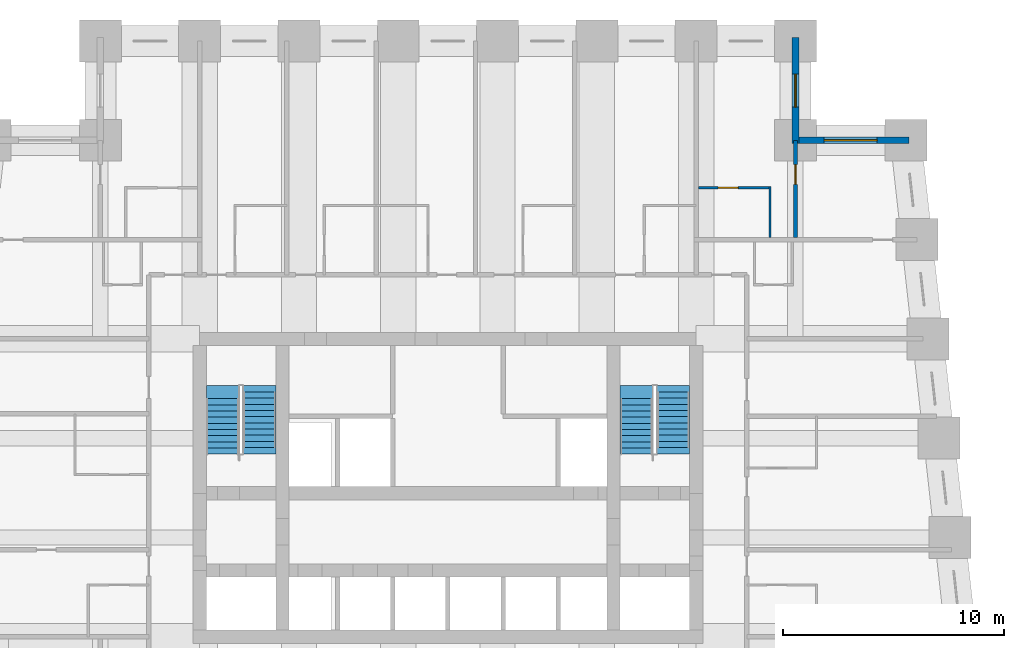
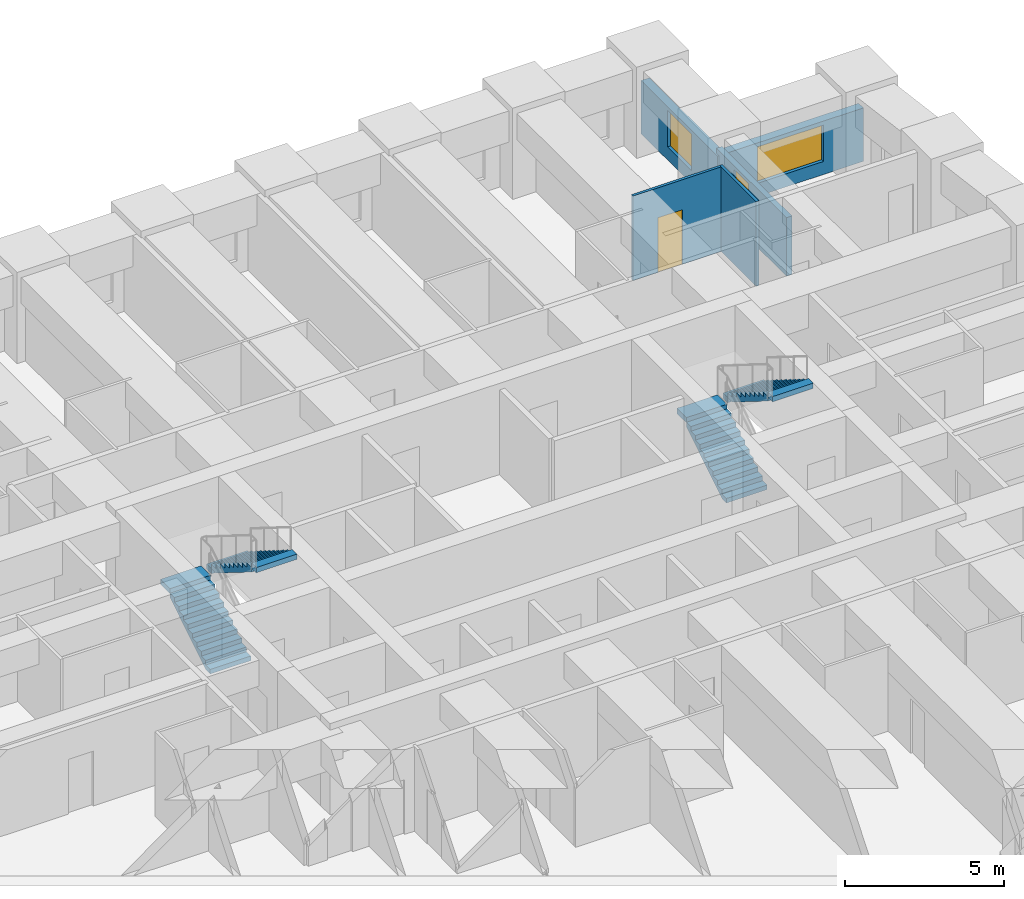
# One storey, part 7 of 8: 5 walls, 4 stair flights, 2 doors, 2 windows, 4 openings, 2 elements without a shape of their own.
"""IFC4 building model written with IfcOpenShell, lengths in metres."""

import ifcopenshell
import ifcopenshell.guid

model = None  # the IFC model being written
_history = None  # IfcOwnerHistory: only IFC2X3 demands one
_inside = {}  # id of a spatial element -> (the spatial element, [elements in it])
_under = {}  # id of a project, library or spatial element -> (it, [spatial elements below it])
_declared = {}  # id of a project -> (the project, [libraries it declares])
_typed = {}  # id of a type object -> (the type object, [elements of that type])
_made_of = {}  # id of a material, layer set ... -> (it, [elements and type objects made of it])


def new_model(schema):
    """Start an empty IFC model of exactly this schema.

    Asked for "IFC4X3", IfcOpenShell would pick the latest addendum, in which some entities
    have other attributes; the version numbers below select the first issue.
    IFC2X3 requires an IfcOwnerHistory on every rooted entity: one is made here for all.
    """
    global model, _history
    if schema == "IFC4X3":
        model = ifcopenshell.file(schema_version=(4, 3, 0, 0))
    else:
        model = ifcopenshell.file(schema=schema)
    _inside.clear()
    _under.clear()
    _declared.clear()
    _typed.clear()
    _made_of.clear()
    _history = None
    if model.schema == "IFC2X3":
        org = make("IfcOrganization", Name="unknown")
        user = make(
            "IfcPersonAndOrganization",
            ThePerson=make("IfcPerson", FamilyName="unknown"),
            TheOrganization=org,
        )
        app = make(
            "IfcApplication",
            ApplicationDeveloper=org,
            Version="unknown",
            ApplicationFullName="unknown",
            ApplicationIdentifier="unknown",
        )
        _history = make(
            "IfcOwnerHistory",
            OwningUser=user,
            OwningApplication=app,
            ChangeAction="ADDED",
            CreationDate=0,
        )
    return model


def make(cls, **values):
    """One entity of the class cls with the attributes given. An attribute that is None is left unset."""
    return model.create_entity(
        cls, **{name: value for name, value in values.items() if value is not None}
    )


def rooted(cls, **values):
    """An entity with a GlobalId (a new one), such as an element, a storey or a relation."""
    return make(cls, GlobalId=ifcopenshell.guid.new(), OwnerHistory=_history, **values)


def si_unit(unit_type, name, prefix=None):
    """IfcSIUnit, for example si_unit("LENGTHUNIT", "METRE", prefix="MILLI")."""
    return make("IfcSIUnit", UnitType=unit_type, Prefix=prefix, Name=name)


def assignment(units):
    """IfcUnitAssignment: the units of a project."""
    return None if units is None else make("IfcUnitAssignment", Units=units)


def point(xyz):
    """IfcCartesianPoint."""
    return None if xyz is None else make("IfcCartesianPoint", Coordinates=xyz)


def direction(xyz):
    """IfcDirection."""
    return None if xyz is None else make("IfcDirection", DirectionRatios=xyz)


def frame(location, z_axis=None, x_axis=None):
    """IfcAxis2Placement3D, a coordinate frame: its origin and axes. An axis left out is left unset."""
    return make(
        "IfcAxis2Placement3D",
        Location=point(location),
        Axis=direction(z_axis),
        RefDirection=direction(x_axis),
    )


def frame_2d(location, x_axis=None):
    """IfcAxis2Placement2D, a coordinate frame in the plane: its origin and x axis."""
    return make(
        "IfcAxis2Placement2D", Location=point(location), RefDirection=direction(x_axis)
    )


def origin():
    """The frame at (0, 0, 0) with its axes left unset."""
    return frame((0.0, 0.0, 0.0))


def place(relative_to, where):
    """IfcLocalPlacement: puts the frame where relative to a parent placement (None: the world)."""
    return make(
        "IfcLocalPlacement", PlacementRelTo=relative_to, RelativePlacement=where
    )


def context(
    kind, dimensions, precision=None, world=None, true_north=None, identifier=None
):
    """IfcGeometricRepresentationContext, for example the 3D "Model" context."""
    return make(
        "IfcGeometricRepresentationContext",
        ContextIdentifier=identifier,
        ContextType=kind,
        CoordinateSpaceDimension=dimensions,
        Precision=precision,
        WorldCoordinateSystem=world,
        TrueNorth=true_north,
    )


def subcontext(parent, identifier, kind, view, scale=None):
    """IfcGeometricRepresentationSubContext, for example "Body" below "Model"."""
    return make(
        "IfcGeometricRepresentationSubContext",
        ContextIdentifier=identifier,
        ContextType=kind,
        ParentContext=parent,
        TargetScale=scale,
        TargetView=view,
    )


def project(units=None, contexts=None):
    """IfcProject with its units and contexts."""
    return rooted(
        "IfcProject",
        Name="project",
        RepresentationContexts=contexts,
        UnitsInContext=assignment(units),
    )


def spatial(cls, under=None, at=None, **own):
    """A site, building, storey or space (cls), placed at a placement, below another one or the project."""
    s = rooted(cls, ObjectPlacement=at, **own)
    if under is not None:
        _under.setdefault(under.id(), (under, []))[1].append(s)
    return s


def polyline(points):
    """IfcPolyline through the points."""
    return make("IfcPolyline", Points=[point(p) for p in points])


def profile(cls, at=None, kind="AREA", **sizes):
    """A parametric profile (cls). Its sizes go by their IFC names, for example OverallWidth=200.0."""
    return make(cls, ProfileType=kind, Position=at, **sizes)


def rectangle(**sizes):
    """IfcRectangleProfileDef."""
    return profile("IfcRectangleProfileDef", **sizes)


def outline(outer, holes=None, kind="AREA"):
    """IfcArbitraryClosedProfileDef: a profile drawn as a closed curve; with holes, ...WithVoids."""
    if holes is None:
        return make("IfcArbitraryClosedProfileDef", ProfileType=kind, OuterCurve=outer)
    return make(
        "IfcArbitraryProfileDefWithVoids",
        ProfileType=kind,
        OuterCurve=outer,
        InnerCurves=holes,
    )


def extrude(swept, where, along, depth):
    """IfcExtrudedAreaSolid: the profile swept, set in the frame where, extruded along a direction by depth."""
    return make(
        "IfcExtrudedAreaSolid",
        SweptArea=swept,
        Position=where,
        ExtrudedDirection=direction(along),
        Depth=depth,
    )


def shape(context_of_items, identifier, shape_type, items):
    """IfcShapeRepresentation: the items that make up one representation, for example the "Body"."""
    return make(
        "IfcShapeRepresentation",
        ContextOfItems=context_of_items,
        RepresentationIdentifier=identifier,
        RepresentationType=shape_type,
        Items=items,
    )


def material(Name=None, Category=None):
    """IfcMaterial."""
    return make("IfcMaterial", Name=Name, Category=Category)


def layer(
    of_material, thickness, ventilated=None, Name=None, Category=None, Priority=None
):
    """IfcMaterialLayer: one layer of a wall or slab, of a material (None: an air gap)."""
    return make(
        "IfcMaterialLayer",
        Material=of_material,
        LayerThickness=thickness,
        IsVentilated=ventilated,
        Name=Name,
        Category=Category,
        Priority=Priority,
    )


def layer_set(layers, Name=None):
    """IfcMaterialLayerSet."""
    return make("IfcMaterialLayerSet", MaterialLayers=layers, LayerSetName=Name)


def made_of(thing, what):
    """Note that an element or type object is made of a material, layer set ...; save() writes the relation."""
    if what is not None:
        _made_of.setdefault(what.id(), (what, []))[1].append(thing)
    return thing


def type_object(cls, material=None, **own):
    """A type object (cls), such as IfcWallType, which elements share."""
    return made_of(rooted(cls, **own), material)


def element(
    cls,
    number,
    at=None,
    inside=None,
    cuts=None,
    type_object=None,
    material=None,
    context=None,
    identifier="Body",
    shape_type=None,
    held_by="IfcProductDefinitionShape",
    body=None,
    shapes=None,
    **own,
):
    """One element of the class cls, such as IfcWall. Its Tag is "e" and its number.

    at: its placement. inside: the storey or other place that contains it. cuts: it is an
    opening in that element (IfcRelVoidsElement). A single representation is given by context,
    identifier, shape_type and body (its items); several are given by shapes. held_by: the class
    of the entity that holds the representations. save() writes the other relations.
    """
    e = rooted(cls, Tag="e%d" % number, ObjectPlacement=at, **own)
    if body is not None:
        shapes = [shape(context, identifier, shape_type, body)]
    if shapes is not None:
        e.Representation = make(held_by, Representations=shapes)
    if inside is not None:
        _inside.setdefault(inside.id(), (inside, []))[1].append(e)
    if cuts is not None:
        rooted(
            "IfcRelVoidsElement", RelatingBuildingElement=cuts, RelatedOpeningElement=e
        )
    if type_object is not None:
        _typed.setdefault(type_object.id(), (type_object, []))[1].append(e)
    return made_of(e, material)


def fill(opening, filler):
    """IfcRelFillsElement: the door or window that sits in an opening."""
    return rooted(
        "IfcRelFillsElement",
        RelatingOpeningElement=opening,
        RelatedBuildingElement=filler,
    )


def aggregate(whole, parts):
    """IfcRelAggregates: a whole, such as a stair, and the parts it consists of."""
    return rooted("IfcRelAggregates", RelatingObject=whole, RelatedObjects=parts)


def save(model, path):
    """Write the relations noted so far, then the file.

    IfcRelAggregates (storeys below a building ...), IfcRelContainedInSpatialStructure (elements
    in a storey), IfcRelDefinesByType, IfcRelAssociatesMaterial and IfcRelDeclares: one each for
    every whole, place, type object, material and project.
    """
    for whole, parts in _under.values():
        aggregate(whole, parts)
    for where, things in _inside.values():
        rooted(
            "IfcRelContainedInSpatialStructure",
            RelatedElements=things,
            RelatingStructure=where,
        )
    for kind, things in _typed.values():
        rooted("IfcRelDefinesByType", RelatedObjects=things, RelatingType=kind)
    for what, things in _made_of.values():
        rooted("IfcRelAssociatesMaterial", RelatedObjects=things, RelatingMaterial=what)
    for by, libraries in _declared.values():
        rooted("IfcRelDeclares", RelatingContext=by, RelatedDefinitions=libraries)
    model.write(path)


model = new_model("IFC4")

# Units and contexts
model_context = context("Model", 3, precision=1e-05, world=origin(), true_north=direction((0.0, 1.0)))
body_context = subcontext(model_context, "Body", "Model", "MODEL_VIEW")
ifc_project = project(units=[si_unit("LENGTHUNIT", "METRE"), si_unit("AREAUNIT", "SQUARE_METRE"), si_unit("VOLUMEUNIT", "CUBIC_METRE"), si_unit("PLANEANGLEUNIT", "RADIAN"), si_unit("MASSUNIT", "GRAM", prefix="KILO")], contexts=[model_context])

# Site, building, storey
site_placement = place(None, origin())
site = spatial("IfcSite", under=ifc_project, at=site_placement, CompositionType="ELEMENT")
building_placement = place(site_placement, origin())
building = spatial("IfcBuilding", under=site, at=building_placement, Name="Kilele Tower Hotel", CompositionType="ELEMENT")
storey_placement = place(building_placement, frame((0.0, 0.0, 50.699951171875)))
storey = spatial("IfcBuildingStorey", under=building, at=storey_placement, Name="L11", CompositionType="ELEMENT", Elevation=50.699951171875)

# Wall
ifc_material_1 = material(Name="Moisture-resistant board")
ifc_layer_1 = layer(ifc_material_1, 0.10009765625)
ifc_layer_set_1 = layer_set([ifc_layer_1], Name="Moisture-resistant board")
wall_type_1 = type_object("IfcWallType", Name="Bathroom partition 100", PredefinedType="PLUMBINGWALL", material=ifc_layer_set_1)
wall_1_placement = place(storey_placement, frame((39.35009765625, 31.60009765625, 0.0), z_axis=(0.0, 0.0, 1.0), x_axis=(0.0, 1.0, 0.0)))
element("IfcWall", 1, at=wall_1_placement, inside=storey, type_object=wall_type_1, Name="Bathroom partition 100 L11", PredefinedType="PLUMBINGWALL", context=body_context, shape_type="SweptSolid", body=[
    extrude(rectangle(XDim=2.2998046875, YDim=0.10009765625, at=frame_2d((1.14990234375, 0.0))), origin(), (0.0, 0.0, 1.0), 3.25),
])

# Wall, opening, door
wall_2_placement = place(storey_placement, frame((36.10009765625, 33.85009765625, 0.0), z_axis=(0.0, 0.0, 1.0), x_axis=(1.0, 0.0, 0.0)))
wall_2 = element("IfcWall", 2, at=wall_2_placement, inside=storey, type_object=wall_type_1, Name="Bathroom partition 100 L11", PredefinedType="PLUMBINGWALL", context=body_context, shape_type="SweptSolid", body=[
    extrude(rectangle(XDim=3.2998046875, YDim=0.10009765625, at=frame_2d((1.64990234375, 0.0))), origin(), (0.0, 0.0, 1.0), 3.25),
])
opening_1_placement = place(wall_2_placement, frame((0.89990234375, 0.0, 0.0)))
opening_1 = element("IfcOpeningElement", 3, at=opening_1_placement, cuts=wall_2, Name="Opening D2A", PredefinedType="OPENING", context=body_context, shape_type="SweptSolid", body=[
    extrude(rectangle(XDim=0.89990234375, YDim=2.10009765625, at=frame_2d((0.449951171875, 1.050048828125))), frame((0.0, 0.06005859375, 0.0), z_axis=(0.0, -1.0, 0.0), x_axis=(1.0, 0.0, 0.0)), (0.0, 0.0, 1.0), 0.1201171875),
])
ifc_material_2 = material(Name="Timber door leaf in hardwood frame", Category="wood")
door_type_1 = type_object("IfcDoorType", Name="Bathroom door 900", OperationType="SINGLE_SWING_LEFT", PredefinedType="DOOR", material=ifc_material_2)
door_1_placement = place(opening_1_placement, origin())
door_1 = element("IfcDoor", 4, at=door_1_placement, inside=storey, type_object=door_type_1, Name="Bathroom door 1124B", OperationType="SINGLE_SWING_LEFT", OverallHeight=2.10009765625, OverallWidth=0.89990234375, PredefinedType="DOOR", context=body_context, shape_type="SweptSolid", body=[
    extrude(rectangle(XDim=0.89990234375, YDim=2.10009765625, at=frame_2d((0.449951171875, 1.050048828125))), frame((0.0, 0.02490234375, 0.0), z_axis=(0.0, -1.0, 0.0), x_axis=(1.0, 0.0, 0.0)), (0.0, 0.0, 1.0), 0.050048828125),
])
fill(opening_1, door_1)

ifc_material_3 = material(Name="Blockwork, plastered both sides", Category="masonry")
ifc_layer_2 = layer(ifc_material_3, 0.199951171875)
ifc_layer_set_2 = layer_set([ifc_layer_2], Name="Blockwork, plastered both sides")
wall_type_2 = type_object("IfcWallType", Name="Partition wall 200", PredefinedType="PARTITIONING", material=ifc_layer_set_2)
wall_3_placement = place(storey_placement, frame((40.5, 31.60009765625, 0.0), z_axis=(0.0, 0.0, 1.0), x_axis=(0.0, 1.0, 0.0)))
wall_3 = element("IfcWall", 5, at=wall_3_placement, inside=storey, type_object=wall_type_2, Name="Partition wall 200 L11", PredefinedType="PARTITIONING", context=body_context, shape_type="SweptSolid", body=[
    extrude(rectangle(XDim=4.39990234375, YDim=0.199951171875, at=frame_2d((2.199951171875, 0.0))), origin(), (0.0, 0.0, 1.0), 2.25),
])
opening_2_placement = place(wall_3_placement, frame((2.39990234375, 0.0, 0.0)))
opening_2 = element("IfcOpeningElement", 6, at=opening_2_placement, cuts=wall_3, Name="Opening D3", PredefinedType="OPENING", context=body_context, shape_type="SweptSolid", body=[
    extrude(rectangle(XDim=0.89990234375, YDim=2.10009765625, at=frame_2d((0.449951171875, 1.050048828125))), frame((0.0, 0.10986328125, 0.0), z_axis=(0.0, -1.0, 0.0), x_axis=(1.0, 0.0, 0.0)), (0.0, 0.0, 1.0), 0.219970703125),
])
ifc_material_4 = material(Name="Timber door leaf in hardwood frame", Category="wood")
door_type_2 = type_object("IfcDoorType", Name="Suite internal door 900", OperationType="SINGLE_SWING_LEFT", PredefinedType="DOOR", material=ifc_material_4)
door_2_placement = place(opening_2_placement, origin())
door_2 = element("IfcDoor", 7, at=door_2_placement, inside=storey, type_object=door_type_2, Name="Suite door 1125", OperationType="SINGLE_SWING_RIGHT", OverallHeight=2.10009765625, OverallWidth=0.89990234375, PredefinedType="DOOR", context=body_context, shape_type="SweptSolid", body=[
    extrude(rectangle(XDim=0.89990234375, YDim=2.10009765625, at=frame_2d((0.449951171875, 1.050048828125))), frame((0.0, 0.02490234375, 0.0), z_axis=(0.0, -1.0, 0.0), x_axis=(1.0, 0.0, 0.0)), (0.0, 0.0, 1.0), 0.050048828125),
])
fill(opening_2, door_2)

# Wall, opening, window
ifc_material_5 = material(Name="Concrete C40/50 precast", Category="concrete")
ifc_layer_3 = layer(ifc_material_5, 0.260009765625, Name="Precast backing", Category="LoadBearing")
ifc_material_6 = material(Name="Reconstituted stone finish", Category="masonry")
ifc_layer_4 = layer(ifc_material_6, 0.0400390625, Name="Face mix", Category="Finish")
ifc_layer_set_3 = layer_set([ifc_layer_3, ifc_layer_4], Name="Precast concrete C40/50, reconstituted stone finish")
wall_type_3 = type_object("IfcWallType", Name="Precast stone facade wall 300", PredefinedType="STANDARD", material=ifc_layer_set_3)
wall_4_placement = place(storey_placement, frame((45.64990234375, 36.0, 0.0), z_axis=(0.0, 0.0, 1.0), x_axis=(-1.0, 0.0, 0.0)))
wall_4 = element("IfcWall", 8, at=wall_4_placement, inside=storey, type_object=wall_type_3, Name="Facade wall L11 edge 7", PredefinedType="STANDARD", context=body_context, shape_type="SweptSolid", body=[
    extrude(rectangle(XDim=5.2998046875, YDim=0.300048828125, at=frame_2d((2.64990234375, 0.0))), origin(), (0.0, 0.0, 1.0), 2.050048828125),
])
opening_3_placement = place(wall_4_placement, frame((1.449951171875, 0.0, 0.5)))
opening_3 = element("IfcOpeningElement", 9, at=opening_3_placement, cuts=wall_4, Name="Opening W1", PredefinedType="OPENING", context=body_context, shape_type="SweptSolid", body=[
    extrude(rectangle(XDim=2.39990234375, YDim=1.39990234375, at=frame_2d((1.199951171875, 0.699951171875))), frame((0.0, 0.159912109375, 0.0), z_axis=(0.0, -1.0, 0.0), x_axis=(1.0, 0.0, 0.0)), (0.0, 0.0, 1.0), 0.320068359375),
])
ifc_material_7 = material(Name="Aluminium frame, clear double glazing", Category="aluminium")
window_type_1 = type_object("IfcWindowType", Name="Window W1 2400 x 1400", PartitioningType="SINGLE_PANEL", PredefinedType="WINDOW", material=ifc_material_7)
window_1_placement = place(opening_3_placement, origin())
window_1 = element("IfcWindow", 10, at=window_1_placement, inside=storey, type_object=window_type_1, Name="Window L11", OverallHeight=1.39990234375, OverallWidth=2.39990234375, PartitioningType="SINGLE_PANEL", PredefinedType="WINDOW", context=body_context, shape_type="SweptSolid", body=[
    extrude(rectangle(XDim=2.39990234375, YDim=1.39990234375, at=frame_2d((1.199951171875, 0.699951171875))), frame((0.0, 0.030029296875, 0.0), z_axis=(0.0, -1.0, 0.0), x_axis=(1.0, 0.0, 0.0)), (0.0, 0.0, 1.0), 0.06005859375),
])
fill(opening_3, window_1)

wall_5_placement = place(storey_placement, frame((40.5, 35.85009765625, 0.0), z_axis=(0.0, 0.0, 1.0), x_axis=(0.0, 1.0, 0.0)))
wall_5 = element("IfcWall", 11, at=wall_5_placement, inside=storey, type_object=wall_type_3, Name="Facade wall L11 edge 8", PredefinedType="STANDARD", context=body_context, shape_type="SweptSolid", body=[
    extrude(rectangle(XDim=4.7998046875, YDim=0.300048828125, at=frame_2d((2.39990234375, 0.0))), origin(), (0.0, 0.0, 1.0), 2.050048828125),
])
opening_4_placement = place(wall_5_placement, frame((1.64990234375, 0.0, 0.5)))
opening_4 = element("IfcOpeningElement", 12, at=opening_4_placement, cuts=wall_5, Name="Opening W1", PredefinedType="OPENING", context=body_context, shape_type="SweptSolid", body=[
    extrude(rectangle(XDim=1.5, YDim=1.39990234375, at=frame_2d((0.75, 0.699951171875))), frame((0.0, 0.159912109375, 0.0), z_axis=(0.0, -1.0, 0.0), x_axis=(1.0, 0.0, 0.0)), (0.0, 0.0, 1.0), 0.320068359375),
])
ifc_material_8 = material(Name="Aluminium frame, clear double glazing", Category="aluminium")
window_type_2 = type_object("IfcWindowType", Name="Window W1 1500 x 1400", PartitioningType="SINGLE_PANEL", PredefinedType="WINDOW", material=ifc_material_8)
window_2_placement = place(opening_4_placement, origin())
window_2 = element("IfcWindow", 13, at=window_2_placement, inside=storey, type_object=window_type_2, Name="Window L11", OverallHeight=1.39990234375, OverallWidth=1.5, PartitioningType="SINGLE_PANEL", PredefinedType="WINDOW", context=body_context, shape_type="SweptSolid", body=[
    extrude(rectangle(XDim=1.5, YDim=1.39990234375, at=frame_2d((0.75, 0.699951171875))), frame((0.0, 0.030029296875, 0.0), z_axis=(0.0, -1.0, 0.0), x_axis=(1.0, 0.0, 0.0)), (0.0, 0.0, 1.0), 0.06005859375),
])
fill(opening_4, window_2)

# Stair, stair flights
ifc_material_9 = material(Name="Precast concrete C40/50", Category="concrete")
stair_type = type_object("IfcStairType", Name="Stair 1475 x 3500", PredefinedType="HALF_TURN_STAIR", material=ifc_material_9)
stair_1_placement = place(storey_placement, origin())
stair_1 = element("IfcStair", 14, at=stair_1_placement, inside=storey, type_object=stair_type, Name="Stair 1 L11", PredefinedType="HALF_TURN_STAIR")
ifc_material_10 = material(Name="Precast concrete C40/50", Category="concrete")
stair_flight_type = type_object("IfcStairFlightType", Name="Flight 1475 riser 175.0", PredefinedType="STRAIGHT", material=ifc_material_10)
stair_flight_1_placement = place(storey_placement, frame((14.53759765625, 21.77490234375, 0.0), z_axis=(0.0, 0.0, 1.0), x_axis=(0.0, 1.0, 0.0)))
stair_flight_1 = element("IfcStairFlight", 15, at=stair_flight_1_placement, type_object=stair_flight_type, Name="ST1 flight 1", NumberOfRisers=10, NumberOfTreads=9, PredefinedType="STRAIGHT", RiserHeight=0.175, TreadLength=0.28, context=body_context, shape_type="SweptSolid", body=[
    extrude(outline(polyline([(0.0, 0.0), (0.0, 0.175048828125), (0.280029296875, 0.175048828125), (0.280029296875, 0.35009765625), (0.56005859375, 0.35009765625), (0.56005859375, 0.52490234375), (0.840087890625, 0.52490234375), (0.840087890625, 0.699951171875), (1.1201171875, 0.699951171875), (1.1201171875, 0.875), (1.39990234375, 0.875), (1.39990234375, 1.050048828125), (1.679931640625, 1.050048828125), (1.679931640625, 1.22509765625), (1.9599609375, 1.22509765625), (1.9599609375, 1.39990234375), (2.239990234375, 1.39990234375), (2.239990234375, 1.574951171875), (2.52001953125, 1.574951171875), (2.52001953125, 1.75), (2.52001953125, 1.398193359375), (0.28271484375, 0.0), (0.0, 0.0)])), frame((0.0, 0.737548828125, 0.0), z_axis=(0.0, -1.0, 0.0), x_axis=(1.0, 0.0, 0.0)), (0.0, 0.0, 1.0), 1.47509765625),
    extrude(outline(polyline([(2.52001953125, 0.737548828125), (2.52001953125, -0.7373046875), (3.1201171875, -0.7373046875), (3.1201171875, 0.737548828125), (2.52001953125, 0.737548828125)])), frame((0.0, 0.0, 1.550048828125)), (0.0, 0.0, 1.0), 0.199951171875),
])
stair_flight_2_placement = place(storey_placement, frame((16.21240234375, 24.594970703125, 1.75), z_axis=(0.0, 0.0, 1.0), x_axis=(0.0, -1.0, 0.0)))
stair_flight_2 = element("IfcStairFlight", 16, at=stair_flight_2_placement, type_object=stair_flight_type, Name="ST1 flight 2", NumberOfRisers=10, NumberOfTreads=9, PredefinedType="STRAIGHT", RiserHeight=0.175, TreadLength=0.28, context=body_context, shape_type="SweptSolid", body=[
    extrude(outline(polyline([(0.0, 0.0), (0.0, 0.175048828125), (0.280029296875, 0.175048828125), (0.280029296875, 0.35009765625), (0.56005859375, 0.35009765625), (0.56005859375, 0.52490234375), (0.840087890625, 0.52490234375), (0.840087890625, 0.699951171875), (1.1201171875, 0.699951171875), (1.1201171875, 0.875), (1.39990234375, 0.875), (1.39990234375, 1.050048828125), (1.679931640625, 1.050048828125), (1.679931640625, 1.22509765625), (1.9599609375, 1.22509765625), (1.9599609375, 1.39990234375), (2.239990234375, 1.39990234375), (2.239990234375, 1.574951171875), (2.52001953125, 1.574951171875), (2.52001953125, 1.75), (2.52001953125, 1.398193359375), (0.28271484375, 0.0), (0.0, 0.0)])), frame((0.0, 0.737548828125, 0.0), z_axis=(0.0, -1.0, 0.0), x_axis=(1.0, 0.0, 0.0)), (0.0, 0.0, 1.0), 1.47509765625),
    extrude(outline(polyline([(0.0, -0.7373046875), (0.0, 0.737548828125), (-0.300048828125, 0.737548828125), (-0.300048828125, -0.7373046875), (0.0, -0.7373046875)])), frame((0.0, 0.0, -0.199951171875)), (0.0, 0.0, 1.0), 0.199951171875),
    extrude(outline(polyline([(2.820068359375, -0.7373046875), (2.820068359375, 0.737548828125), (2.52001953125, 0.737548828125), (2.52001953125, -0.7373046875), (2.820068359375, -0.7373046875)])), frame((0.0, 0.0, 1.550048828125)), (0.0, 0.0, 1.0), 0.199951171875),
])
aggregate(stair_1, [stair_flight_1, stair_flight_2])

stair_2_placement = place(storey_placement, origin())
stair_2 = element("IfcStair", 17, at=stair_2_placement, inside=storey, type_object=stair_type, Name="Stair 2 L11", PredefinedType="HALF_TURN_STAIR")
stair_flight_3_placement = place(storey_placement, frame((33.28759765625, 21.77490234375, 0.0), z_axis=(0.0, 0.0, 1.0), x_axis=(0.0, 1.0, 0.0)))
stair_flight_3 = element("IfcStairFlight", 18, at=stair_flight_3_placement, type_object=stair_flight_type, Name="ST2 flight 1", NumberOfRisers=10, NumberOfTreads=9, PredefinedType="STRAIGHT", RiserHeight=0.175, TreadLength=0.28, context=body_context, shape_type="SweptSolid", body=[
    extrude(outline(polyline([(0.0, 0.0), (0.0, 0.175048828125), (0.280029296875, 0.175048828125), (0.280029296875, 0.35009765625), (0.56005859375, 0.35009765625), (0.56005859375, 0.52490234375), (0.840087890625, 0.52490234375), (0.840087890625, 0.699951171875), (1.1201171875, 0.699951171875), (1.1201171875, 0.875), (1.39990234375, 0.875), (1.39990234375, 1.050048828125), (1.679931640625, 1.050048828125), (1.679931640625, 1.22509765625), (1.9599609375, 1.22509765625), (1.9599609375, 1.39990234375), (2.239990234375, 1.39990234375), (2.239990234375, 1.574951171875), (2.52001953125, 1.574951171875), (2.52001953125, 1.75), (2.52001953125, 1.398193359375), (0.28271484375, 0.0), (0.0, 0.0)])), frame((0.0, 0.737548828125, 0.0), z_axis=(0.0, -1.0, 0.0), x_axis=(1.0, 0.0, 0.0)), (0.0, 0.0, 1.0), 1.47509765625),
    extrude(outline(polyline([(2.52001953125, 0.737548828125), (2.52001953125, -0.7373046875), (3.1201171875, -0.7373046875), (3.1201171875, 0.737548828125), (2.52001953125, 0.737548828125)])), frame((0.0, 0.0, 1.550048828125)), (0.0, 0.0, 1.0), 0.199951171875),
])
stair_flight_4_placement = place(storey_placement, frame((34.96240234375, 24.594970703125, 1.75), z_axis=(0.0, 0.0, 1.0), x_axis=(0.0, -1.0, 0.0)))
stair_flight_4 = element("IfcStairFlight", 19, at=stair_flight_4_placement, type_object=stair_flight_type, Name="ST2 flight 2", NumberOfRisers=10, NumberOfTreads=9, PredefinedType="STRAIGHT", RiserHeight=0.175, TreadLength=0.28, context=body_context, shape_type="SweptSolid", body=[
    extrude(outline(polyline([(0.0, 0.0), (0.0, 0.175048828125), (0.280029296875, 0.175048828125), (0.280029296875, 0.35009765625), (0.56005859375, 0.35009765625), (0.56005859375, 0.52490234375), (0.840087890625, 0.52490234375), (0.840087890625, 0.699951171875), (1.1201171875, 0.699951171875), (1.1201171875, 0.875), (1.39990234375, 0.875), (1.39990234375, 1.050048828125), (1.679931640625, 1.050048828125), (1.679931640625, 1.22509765625), (1.9599609375, 1.22509765625), (1.9599609375, 1.39990234375), (2.239990234375, 1.39990234375), (2.239990234375, 1.574951171875), (2.52001953125, 1.574951171875), (2.52001953125, 1.75), (2.52001953125, 1.398193359375), (0.28271484375, 0.0), (0.0, 0.0)])), frame((0.0, 0.737548828125, 0.0), z_axis=(0.0, -1.0, 0.0), x_axis=(1.0, 0.0, 0.0)), (0.0, 0.0, 1.0), 1.47509765625),
    extrude(outline(polyline([(0.0, -0.7373046875), (0.0, 0.737548828125), (-0.300048828125, 0.737548828125), (-0.300048828125, -0.7373046875), (0.0, -0.7373046875)])), frame((0.0, 0.0, -0.199951171875)), (0.0, 0.0, 1.0), 0.199951171875),
    extrude(outline(polyline([(2.820068359375, -0.7373046875), (2.820068359375, 0.737548828125), (2.52001953125, 0.737548828125), (2.52001953125, -0.7373046875), (2.820068359375, -0.7373046875)])), frame((0.0, 0.0, 1.550048828125)), (0.0, 0.0, 1.0), 0.199951171875),
])
aggregate(stair_2, [stair_flight_3, stair_flight_4])

save(model, "model.ifc")
